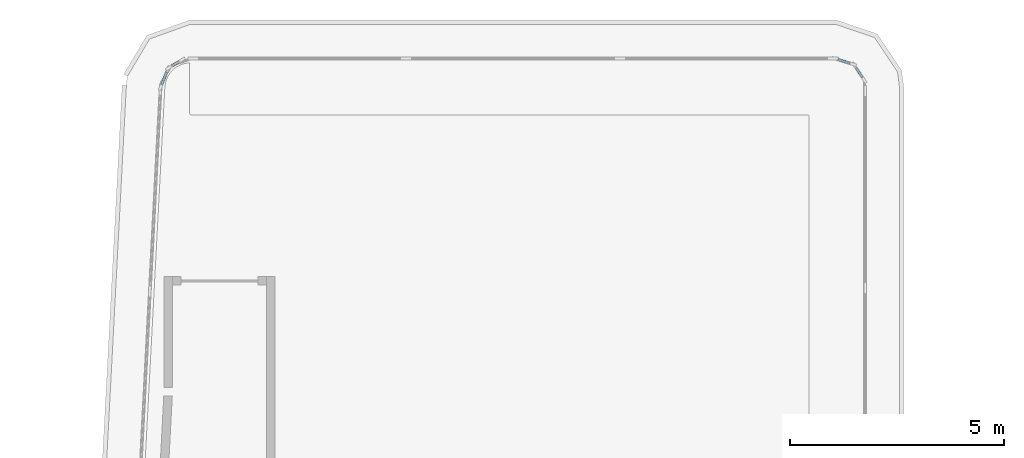
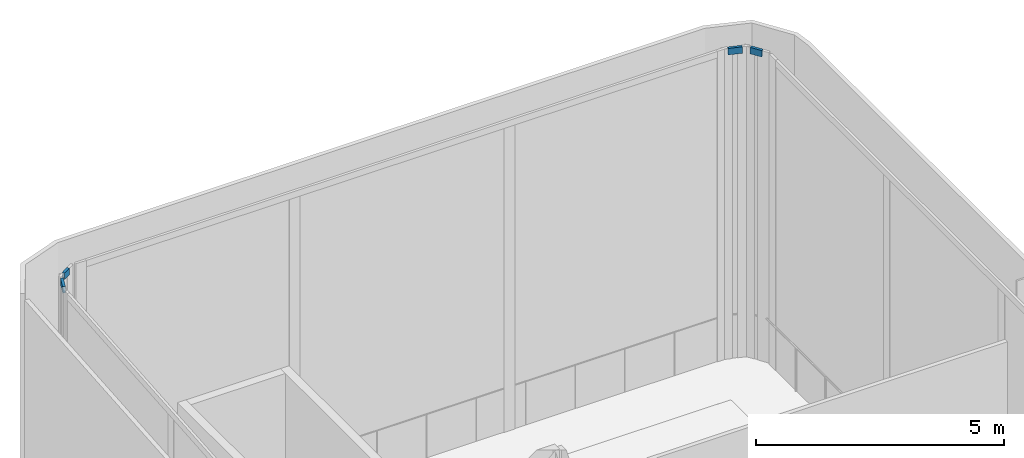
# One storey, part 21 of 38: 4 members, 4 elements without a shape of their own.
"""IFC4 building model written with IfcOpenShell, lengths in metres."""

from ifc_helpers import new_model, si_unit, direction, frame, origin, origin_2d, place, context, subcontext, project, spatial, rectangle, extrude, material, layer, layer_set, material_profile, profile_set, type_object, element, aggregate, save


model = new_model("IFC4")

# Units and contexts
model_context = context("Model", 3, precision=1e-05, world=origin(), true_north=direction((0.0, 1.0)))
body_context = subcontext(model_context, "Body", "Model", "MODEL_VIEW")
ifc_project = project(units=[si_unit("LENGTHUNIT", "METRE"), si_unit("AREAUNIT", "SQUARE_METRE"), si_unit("VOLUMEUNIT", "CUBIC_METRE"), si_unit("PLANEANGLEUNIT", "RADIAN"), si_unit("MASSUNIT", "GRAM", prefix="KILO")], contexts=[model_context])

# Site, building, storey
site_placement = place(None, origin())
site = spatial("IfcSite", under=ifc_project, at=site_placement, CompositionType="ELEMENT")
building_placement = place(site_placement, origin())
building = spatial("IfcBuilding", under=site, at=building_placement, Name="Kheshtan School and Residences Tower", CompositionType="ELEMENT")
storey_placement = place(building_placement, frame((0.0, 0.0, 203.300048828125)))
storey = spatial("IfcBuildingStorey", under=building, at=storey_placement, Name="L48", CompositionType="ELEMENT", Elevation=203.300048828125)

# Curtain wall, member
ifc_material_1 = material(Name="Clear low-e glass in thermally broken aluminium frame", Category="aluminium")
ifc_layer = layer(ifc_material_1, 0.25)
ifc_layer_set = layer_set([ifc_layer], Name="Curtain wall CW-K")
curtain_wall_type = type_object("IfcCurtainWallType", Name="Curtain wall CW-K", PredefinedType="NOTDEFINED", material=ifc_layer_set)
curtain_wall_1_placement = place(storey_placement, origin())
curtain_wall_1 = element("IfcCurtainWall", 1, at=curtain_wall_1_placement, inside=storey, type_object=curtain_wall_type, Name="Curtain wall CWK19", PredefinedType="NOTDEFINED")
ifc_material_2 = material(Name="Thermally broken aluminium, dark bronze anodised", Category="aluminium")
ifc_material_profile = material_profile(ifc_material_2, rectangle(XDim=0.06005859375, YDim=0.159912109375, at=origin_2d()), Name="CW-K transom 60x160")
ifc_profile_set = profile_set([ifc_material_profile], Name="Thermally broken aluminium, dark bronze anodised")
member_type = type_object("IfcMemberType", Name="CW-K transom 60x160", PredefinedType="USERDEFINED", material=ifc_profile_set)
member_1_placement = place(storey_placement, frame((30.75146484375, 98.59375, 7.570068359375), z_axis=(0.370720586552, 0.928744446393, 0.0), x_axis=(-0.928744446393, 0.370720586552, 0.0)))
member_1 = element("IfcMember", 2, at=member_1_placement, type_object=member_type, Name="CWK19 transom 1", ObjectType="TRANSOM", PredefinedType="USERDEFINED", context=body_context, shape_type="SweptSolid", body=[
    extrude(rectangle(XDim=0.06005859375, YDim=0.159912109375, at=origin_2d()), origin(), (0.0, 0.0, 1.0), 0.314208984375),
])
aggregate(curtain_wall_1, [member_1])

curtain_wall_2_placement = place(storey_placement, origin())
curtain_wall_2 = element("IfcCurtainWall", 3, at=curtain_wall_2_placement, inside=storey, type_object=curtain_wall_type, Name="Curtain wall CWK20", PredefinedType="NOTDEFINED")
member_2_placement = place(storey_placement, frame((30.981689453125, 99.0205078125, 7.570068359375), z_axis=(0.851698929261, 0.524031424531, 0.0), x_axis=(-0.524031424531, 0.851698929261, 0.0)))
member_2 = element("IfcMember", 4, at=member_2_placement, type_object=member_type, Name="CWK20 transom 1", ObjectType="TRANSOM", PredefinedType="USERDEFINED", context=body_context, shape_type="SweptSolid", body=[
    extrude(rectangle(XDim=0.06005859375, YDim=0.159912109375, at=origin_2d()), origin(), (0.0, 0.0, 1.0), 0.206298828125),
])
aggregate(curtain_wall_2, [member_2])

curtain_wall_3_placement = place(storey_placement, origin())
curtain_wall_3 = element("IfcCurtainWall", 5, at=curtain_wall_3_placement, inside=storey, type_object=curtain_wall_type, Name="Curtain wall CWK22", PredefinedType="NOTDEFINED")
member_3_placement = place(storey_placement, frame((46.5576171875, 99.177001953125, 7.570068359375), z_axis=(0.95258765561, -0.304264290347, 0.0), x_axis=(0.304264290347, 0.95258765561, 0.0)))
member_3 = element("IfcMember", 6, at=member_3_placement, type_object=member_type, Name="CWK22 transom 1", ObjectType="TRANSOM", PredefinedType="USERDEFINED", context=body_context, shape_type="SweptSolid", body=[
    extrude(rectangle(XDim=0.06005859375, YDim=0.159912109375, at=origin_2d()), origin(), (0.0, 0.0, 1.0), 0.29443359375),
])
aggregate(curtain_wall_3, [member_3])

curtain_wall_4_placement = place(storey_placement, origin())
curtain_wall_4 = element("IfcCurtainWall", 7, at=curtain_wall_4_placement, inside=storey, type_object=curtain_wall_type, Name="Curtain wall CWK23", PredefinedType="NOTDEFINED")
member_4_placement = place(storey_placement, frame((46.9814453125, 98.979736328125, 7.570068359375), z_axis=(0.555554602959, -0.831480055762, 0.0), x_axis=(0.831480055762, 0.555554602959, 0.0)))
member_4 = element("IfcMember", 8, at=member_4_placement, type_object=member_type, Name="CWK23 transom 1", ObjectType="TRANSOM", PredefinedType="USERDEFINED", context=body_context, shape_type="SweptSolid", body=[
    extrude(rectangle(XDim=0.06005859375, YDim=0.159912109375, at=origin_2d()), origin(), (0.0, 0.0, 1.0), 0.263671875),
])
aggregate(curtain_wall_4, [member_4])

save(model, "model.ifc")
